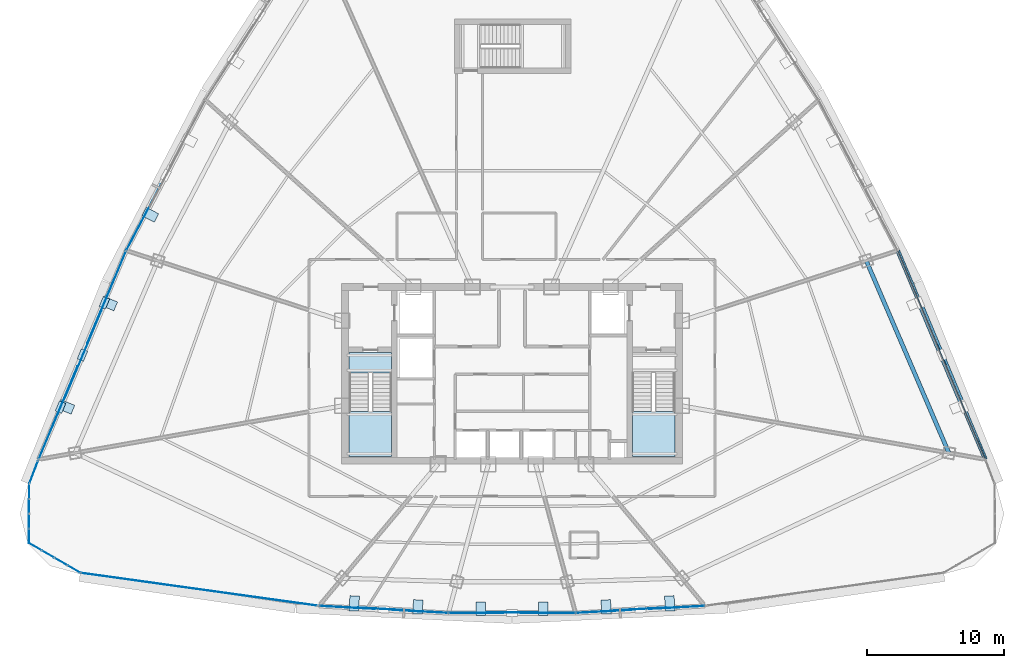
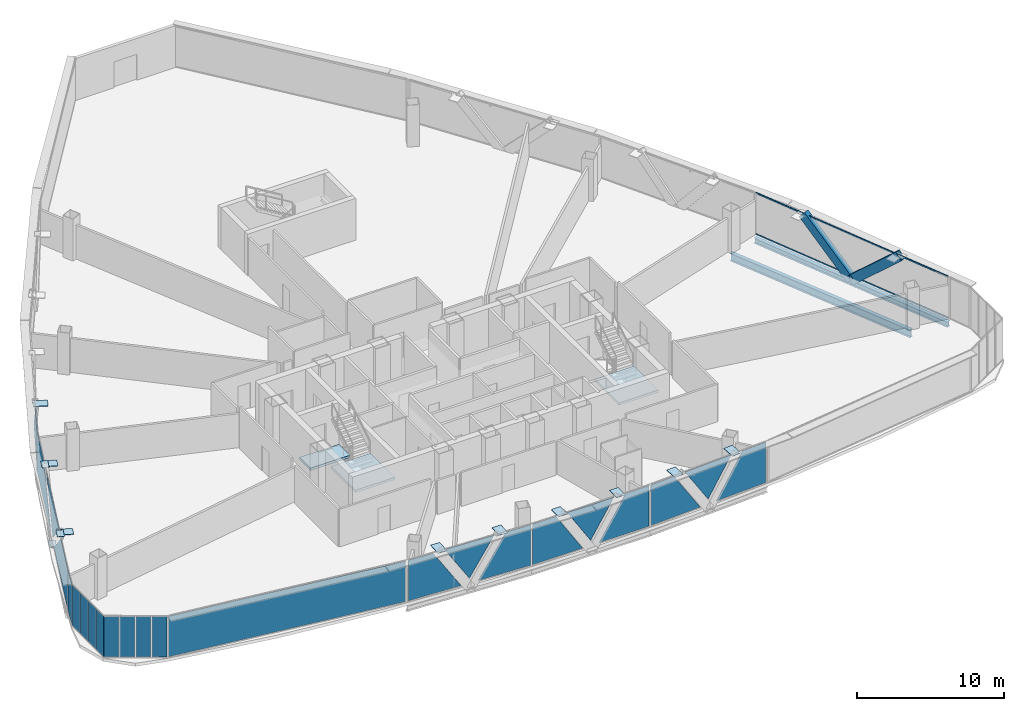
# One storey, part 27 of 36: 35 plates, 4 members, 3 slabs, 2 beams, 12 elements without a shape of their own.
"""IFC4 building model written with IfcOpenShell, lengths in metres."""

from ifc_helpers import new_model, si_unit, direction, frame, origin, origin_2d, place, context, subcontext, project, spatial, polyline, rectangle, hollow_rectangle, i_section, outline, extrude, source, transform, mapped, material, layer, layer_set, material_profile, profile_set, type_object, element, aggregate, save


model = new_model("IFC4")

# Units and contexts
model_context = context("Model", 3, precision=1e-05, world=origin(), true_north=direction((0.0, 1.0)))
body_context = subcontext(model_context, "Body", "Model", "MODEL_VIEW")
ifc_project = project(units=[si_unit("LENGTHUNIT", "METRE"), si_unit("AREAUNIT", "SQUARE_METRE"), si_unit("VOLUMEUNIT", "CUBIC_METRE"), si_unit("PLANEANGLEUNIT", "RADIAN"), si_unit("MASSUNIT", "GRAM", prefix="KILO"), si_unit("THERMODYNAMICTEMPERATUREUNIT", "KELVIN"), si_unit("POWERUNIT", "WATT")], contexts=[model_context])

# Site, building, storey
site_placement = place(None, origin())
site = spatial("IfcSite", under=ifc_project, at=site_placement, CompositionType="ELEMENT")
building_placement = place(site_placement, origin())
building = spatial("IfcBuilding", under=site, at=building_placement, Name="Yunzhuo Pagoda Commons", CompositionType="ELEMENT")
storey_placement = place(building_placement, frame((0.0, 0.0, 248.260009765625)))
storey = spatial("IfcBuildingStorey", under=building, at=storey_placement, Name="L62", CompositionType="ELEMENT", Elevation=248.260009765625)

# Beams
ifc_material_1 = material(Name="Structural steel Q355B", Category="steel")
ifc_material_profile_1 = material_profile(ifc_material_1, i_section(OverallWidth=0.300048828125, OverallDepth=0.64990234375, WebThickness=0.012939453125, FlangeThickness=0.02197265625, at=origin_2d()), Name="Structural steel Q355B")
ifc_profile_set_1 = profile_set([ifc_material_profile_1], Name="Structural steel Q355B")
beam_type_1 = type_object("IfcBeamType", Name="B-RG2 Beam HN 650x300x13x22", PredefinedType="BEAM", material=ifc_profile_set_1)
shared_shape_1 = source(origin(), body_context, "Body", "SweptSolid", [
    extrude(i_section(OverallWidth=0.300048828125, OverallDepth=0.64990234375, WebThickness=0.012939453125, FlangeThickness=0.02197265625, at=origin_2d()), origin(), (0.0, 0.0, 1.0), 15.28759765625),
])
beam_1_placement = place(storey_placement, frame((79.93408203125, 28.069091796875, -0.5849609375), z_axis=(-0.394788372839, 0.918772083093, 0.0), x_axis=(-0.918772083093, -0.394788372839, 0.0)))
element("IfcBeam", 1, at=beam_1_placement, inside=storey, type_object=beam_type_1, Name="L62 column-ring beam 5", PredefinedType="BEAM", context=body_context, shape_type="MappedRepresentation", body=[
    mapped(shared_shape_1, transform((0.0, 0.0, 0.0), scale=1.0)),
])
ifc_material_profile_2 = material_profile(ifc_material_1, i_section(OverallWidth=0.300048828125, OverallDepth=0.43994140625, WebThickness=0.010986328125, FlangeThickness=0.01806640625, at=origin_2d()), Name="Structural steel Q355B")
ifc_profile_set_2 = profile_set([ifc_material_profile_2], Name="Structural steel Q355B")
beam_type_2 = type_object("IfcBeamType", Name="B-SP2 Beam HM 440x300x11x18", PredefinedType="BEAM", material=ifc_profile_set_2)
shared_shape_2 = source(origin(), body_context, "Body", "SweptSolid", [
    extrude(i_section(OverallWidth=0.300048828125, OverallDepth=0.43994140625, WebThickness=0.010986328125, FlangeThickness=0.01806640625, at=origin_2d()), origin(), (0.0, 0.0, 1.0), 16.5537109375),
])
beam_2_placement = place(storey_placement, frame((82.6044921875, 27.598388671875, -0.47998046875), z_axis=(-0.387160772063, 0.922012221489, 0.0), x_axis=(-0.922012221489, -0.387160772063, 0.0)))
element("IfcBeam", 2, at=beam_2_placement, inside=storey, type_object=beam_type_2, Name="L62 facade edge spandrel beam F2.1", PredefinedType="BEAM", context=body_context, shape_type="MappedRepresentation", body=[
    mapped(shared_shape_2, transform((0.0, 0.0, 0.0), scale=1.0)),
])

# Members
ifc_material_profile_3 = material_profile(ifc_material_1, hollow_rectangle(XDim=0.39990234375, YDim=0.719970703125, WallThickness=0.02392578125, at=origin_2d()), Name="Structural steel Q355B")
ifc_profile_set_3 = profile_set([ifc_material_profile_3], Name="Structural steel Q355B")
member_type_1 = type_object("IfcMemberType", Name="M-DL2 Brace BOX 720x400x24", PredefinedType="BRACE", material=ifc_profile_set_3)
shared_shape_3 = source(origin(), body_context, "Body", "SweptSolid", [
    extrude(hollow_rectangle(XDim=0.39990234375, YDim=0.719970703125, WallThickness=0.02392578125, at=origin_2d()), origin(), (0.0, 0.0, 1.0), 5.571533203125),
])
member_1_placement = place(storey_placement, frame((79.39990234375, 35.229736328125, -0.260009765625), z_axis=(-0.287589195422, 0.684859292283, 0.669522370388), x_axis=(-0.922006956735, -0.387173309684, 0.0)))
element("IfcMember", 3, at=member_1_placement, inside=storey, type_object=member_type_1, Name="L62 facade diamond brace F2.1R", PredefinedType="BRACE", context=body_context, shape_type="MappedRepresentation", body=[
    mapped(shared_shape_3, transform((0.0, 0.0, 0.0), scale=1.0)),
])
shared_shape_4 = source(origin(), body_context, "Body", "SweptSolid", [
    extrude(hollow_rectangle(XDim=0.39990234375, YDim=0.719970703125, WallThickness=0.02392578125, at=origin_2d()), origin(), (0.0, 0.0, 1.0), 5.5712890625),
])
member_2_placement = place(storey_placement, frame((79.39990234375, 35.229736328125, -0.260009765625), z_axis=(0.287597826196, -0.684836024347, 0.669542463271), x_axis=(0.921998112724, 0.387194369965, 0.0)))
element("IfcMember", 4, at=member_2_placement, inside=storey, type_object=member_type_1, Name="L62 facade diamond brace F2.1L", PredefinedType="BRACE", context=body_context, shape_type="MappedRepresentation", body=[
    mapped(shared_shape_4, transform((0.0, 0.0, 0.0), scale=1.0)),
])

# Curtain wall, members
ifc_material_2 = material(Name="Anodized aluminium 6063-T6", Category="aluminium")
ifc_layer_1 = layer(ifc_material_2, 0.139892578125)
ifc_layer_set_1 = layer_set([ifc_layer_1], Name="Anodized aluminium 6063-T6")
curtain_wall_type_1 = type_object("IfcCurtainWallType", Name="CW-HI High-Zone Ribbon Curtain Wall", PredefinedType="NOTDEFINED", material=ifc_layer_set_1)
curtain_wall_1_placement = place(storey_placement, origin())
curtain_wall_1 = element("IfcCurtainWall", 5, at=curtain_wall_1_placement, inside=storey, type_object=curtain_wall_type_1, Name="L62 curtain wall CW-L62-F2B2", PredefinedType="NOTDEFINED")
ifc_material_profile_4 = material_profile(ifc_material_2, hollow_rectangle(XDim=0.054931640625, YDim=0.1201171875, WallThickness=0.00341796875, at=origin_2d()), Name="Anodized aluminium 6063-T6")
ifc_profile_set_4 = profile_set([ifc_material_profile_4], Name="Anodized aluminium 6063-T6")
member_type_2 = type_object("IfcMemberType", Name="CW-HI-T Transom RHS 120x55x3.5", PredefinedType="USERDEFINED", material=ifc_profile_set_4)
shared_shape_5 = source(origin(), body_context, "Body", "SweptSolid", [
    extrude(hollow_rectangle(XDim=0.054931640625, YDim=0.1201171875, WallThickness=0.00341796875, at=origin_2d()), origin(), (0.0, 0.0, 1.0), 16.433837890625),
])
member_3_placement = place(storey_placement, frame((82.581298828125, 27.65380859375, 0.027587890625), z_axis=(-0.38717616129, 0.922005759271, 0.0), x_axis=(-0.922005759271, -0.38717616129, 0.0)))
member_3 = element("IfcMember", 6, at=member_3_placement, type_object=member_type_2, Name="CW transom 1.1", ObjectType="TRANSOM", PredefinedType="USERDEFINED", context=body_context, shape_type="MappedRepresentation", body=[
    mapped(shared_shape_5, transform((0.0, 0.0, 0.0), scale=1.0)),
])
member_4_placement = place(storey_placement, frame((82.581298828125, 27.65380859375, 3.4423828125), z_axis=(-0.38717616129, 0.922005759271, 0.0), x_axis=(-0.922005759271, -0.38717616129, 0.0)))
member_4 = element("IfcMember", 7, at=member_4_placement, type_object=member_type_2, Name="CW transom 1.2", ObjectType="TRANSOM", PredefinedType="USERDEFINED", context=body_context, shape_type="MappedRepresentation", body=[
    mapped(shared_shape_5, transform((0.0, 0.0, 0.0), scale=1.0)),
])
aggregate(curtain_wall_1, [member_3, member_4])

# Curtain wall, plates
curtain_wall_2_placement = place(storey_placement, origin())
curtain_wall_2 = element("IfcCurtainWall", 8, at=curtain_wall_2_placement, inside=storey, type_object=curtain_wall_type_1, Name="L62 curtain wall CW-L62-F1B2", PredefinedType="NOTDEFINED")
ifc_material_3 = material(Name="Tempered low-e double glazing", Category="glass")
ifc_layer_2 = layer(ifc_material_3, 0.02587890625)
ifc_layer_set_2 = layer_set([ifc_layer_2], Name="Tempered low-e double glazing")
plate_type_1 = type_object("IfcPlateType", Name="CW-HI-P Low-E Double Glazing 26", PredefinedType="CURTAIN_PANEL", material=ifc_layer_set_2)
plate_1_placement = place(storey_placement, frame((35.963134765625, 16.7861328125, 1.735107421875), z_axis=(-0.054497194278, -0.998513923697, 0.0), x_axis=(0.998513923697, -0.054497194278, 0.0)))
plate_1 = element("IfcPlate", 9, at=plate_1_placement, type_object=plate_type_1, Name="CW panel 1.1 lite 1", PredefinedType="CURTAIN_PANEL", context=body_context, shape_type="SweptSolid", body=[
    extrude(outline(polyline([(-2.0146484375, -1.679931640625), (2.0146484375, -1.679931640625), (-0.1201171875, 1.679931640625), (-2.0146484375, 1.679931640625), (-2.0146484375, -1.679931640625)])), origin(), (0.0, 0.0, 1.0), 0.028076171875),
])
plate_2_placement = place(storey_placement, frame((38.625732421875, 16.6708984375, 1.931884765625), z_axis=(-0.054497194278, -0.998513923697, 0.0), x_axis=(0.998513923697, -0.054497194278, 0.0)))
plate_2 = element("IfcPlate", 10, at=plate_2_placement, type_object=plate_type_1, Name="CW panel 1.1 lite 2", PredefinedType="CURTAIN_PANEL", context=body_context, shape_type="SweptSolid", body=[
    extrude(outline(polyline([(-1.884765625, 1.483154296875), (0.0, -1.483154296875), (1.884765625, 1.483154296875), (-1.884765625, 1.483154296875)])), origin(), (0.0, 0.0, 1.0), 0.028076171875),
])
plate_3_placement = place(storey_placement, frame((41.28515625, 16.49560546875, 1.735107421875), z_axis=(-0.054497194278, -0.998513923697, 0.0), x_axis=(0.998513923697, -0.054497194278, 0.0)))
plate_3 = element("IfcPlate", 11, at=plate_3_placement, type_object=plate_type_1, Name="CW panel 1.1 lite 3", PredefinedType="CURTAIN_PANEL", context=body_context, shape_type="SweptSolid", body=[
    extrude(outline(polyline([(-2.0146484375, -1.679931640625), (2.0146484375, -1.679931640625), (2.0146484375, 1.679931640625), (0.1201171875, 1.679931640625), (-2.0146484375, -1.679931640625)])), origin(), (0.0, 0.0, 1.0), 0.028076171875),
])
aggregate(curtain_wall_2, [plate_1, plate_2, plate_3])

curtain_wall_3_placement = place(storey_placement, origin())
curtain_wall_3 = element("IfcCurtainWall", 12, at=curtain_wall_3_placement, inside=storey, type_object=curtain_wall_type_1, Name="L62 curtain wall CW-L62-F1B3", PredefinedType="NOTDEFINED")
plate_4_placement = place(storey_placement, frame((45.38623046875, 16.3828125, 1.735107421875), z_axis=(0.0, -1.0, 0.0), x_axis=(1.0, 0.0, 0.0)))
plate_4 = element("IfcPlate", 13, at=plate_4_placement, type_object=plate_type_1, Name="CW panel 1.1 lite 1", PredefinedType="CURTAIN_PANEL", context=body_context, shape_type="SweptSolid", body=[
    extrude(outline(polyline([(-1.97021484375, -1.679931640625), (1.97021484375, -1.679931640625), (-0.12158203125, 1.679931640625), (-1.97021484375, 1.679931640625), (-1.97021484375, -1.679931640625)])), origin(), (0.0, 0.0, 1.0), 0.028076171875),
])
plate_5_placement = place(storey_placement, frame((48.0, 16.41259765625, 1.93701171875), z_axis=(0.0, -1.0, 0.0), x_axis=(1.0, 0.0, 0.0)))
plate_5 = element("IfcPlate", 14, at=plate_5_placement, type_object=plate_type_1, Name="CW panel 1.1 lite 2", PredefinedType="CURTAIN_PANEL", context=body_context, shape_type="SweptSolid", body=[
    extrude(outline(polyline([(-1.840087890625, 1.47802734375), (0.0, -1.47802734375), (1.840087890625, 1.47802734375), (-1.840087890625, 1.47802734375)])), origin(), (0.0, 0.0, 1.0), 0.028076171875),
])
plate_6_placement = place(storey_placement, frame((50.61376953125, 16.3828125, 1.735107421875), z_axis=(0.0, -1.0, 0.0), x_axis=(1.0, 0.0, 0.0)))
plate_6 = element("IfcPlate", 15, at=plate_6_placement, type_object=plate_type_1, Name="CW panel 1.1 lite 3", PredefinedType="CURTAIN_PANEL", context=body_context, shape_type="SweptSolid", body=[
    extrude(outline(polyline([(-1.97021484375, -1.679931640625), (1.97021484375, -1.679931640625), (1.97021484375, 1.679931640625), (0.12158203125, 1.679931640625), (-1.97021484375, -1.679931640625)])), origin(), (0.0, 0.0, 1.0), 0.028076171875),
])
aggregate(curtain_wall_3, [plate_4, plate_5, plate_6])

curtain_wall_4_placement = place(storey_placement, origin())
curtain_wall_4 = element("IfcCurtainWall", 16, at=curtain_wall_4_placement, inside=storey, type_object=curtain_wall_type_1, Name="L62 curtain wall CW-L62-F1B4", PredefinedType="NOTDEFINED")
plate_7_placement = place(storey_placement, frame((54.71484375, 16.49560546875, 1.735107421875), z_axis=(0.054497194278, -0.998513923697, 0.0), x_axis=(0.998513923697, 0.054497194278, 0.0)))
plate_7 = element("IfcPlate", 17, at=plate_7_placement, type_object=plate_type_1, Name="CW panel 1.1 lite 1", PredefinedType="CURTAIN_PANEL", context=body_context, shape_type="SweptSolid", body=[
    extrude(outline(polyline([(-2.0146484375, -1.679931640625), (2.0146484375, -1.679931640625), (-0.1201171875, 1.679931640625), (-2.0146484375, 1.679931640625), (-2.0146484375, -1.679931640625)])), origin(), (0.0, 0.0, 1.0), 0.028076171875),
])
plate_8_placement = place(storey_placement, frame((57.374267578125, 16.6708984375, 1.931884765625), z_axis=(0.054497194278, -0.998513923697, 0.0), x_axis=(0.998513923697, 0.054497194278, 0.0)))
plate_8 = element("IfcPlate", 18, at=plate_8_placement, type_object=plate_type_1, Name="CW panel 1.1 lite 2", PredefinedType="CURTAIN_PANEL", context=body_context, shape_type="SweptSolid", body=[
    extrude(outline(polyline([(-1.884765625, 1.483154296875), (0.0, -1.483154296875), (1.884765625, 1.483154296875), (-1.884765625, 1.483154296875)])), origin(), (0.0, 0.0, 1.0), 0.028076171875),
])
plate_9_placement = place(storey_placement, frame((60.036865234375, 16.7861328125, 1.735107421875), z_axis=(0.054497194278, -0.998513923697, 0.0), x_axis=(0.998513923697, 0.054497194278, 0.0)))
plate_9 = element("IfcPlate", 19, at=plate_9_placement, type_object=plate_type_1, Name="CW panel 1.1 lite 3", PredefinedType="CURTAIN_PANEL", context=body_context, shape_type="SweptSolid", body=[
    extrude(outline(polyline([(-2.0146484375, -1.679931640625), (2.0146484375, -1.679931640625), (2.0146484375, 1.679931640625), (0.1201171875, 1.679931640625), (-2.0146484375, -1.679931640625)])), origin(), (0.0, 0.0, 1.0), 0.028076171875),
])
aggregate(curtain_wall_4, [plate_7, plate_8, plate_9])

# Curtain wall, plate
curtain_wall_5_placement = place(storey_placement, origin())
curtain_wall_5 = element("IfcCurtainWall", 20, at=curtain_wall_5_placement, inside=storey, type_object=curtain_wall_type_1, Name="L62 curtain wall CW-L62-F3B3", PredefinedType="NOTDEFINED")
plate_10_placement = place(storey_placement, frame((21.100830078125, 45.30029296875, 1.735107421875), z_axis=(-0.88543295769, 0.464767121725, 0.0), x_axis=(-0.464767121725, -0.88543295769, 0.0)))
plate_10 = element("IfcPlate", 21, at=plate_10_placement, type_object=plate_type_1, Name="CW panel 1.1 lite 3", PredefinedType="CURTAIN_PANEL", context=body_context, shape_type="SweptSolid", body=[
    extrude(outline(polyline([(-2.7021484375, -1.679931640625), (2.7021484375, -1.679931640625), (2.7021484375, 1.679931640625), (0.10009765625, 1.679931640625), (-2.7021484375, -1.679931640625)])), origin(), (0.0, 0.0, 1.0), 0.028076171875),
])
aggregate(curtain_wall_5, [plate_10])

# Curtain wall, plates
curtain_wall_6_placement = place(storey_placement, origin())
curtain_wall_6 = element("IfcCurtainWall", 22, at=curtain_wall_6_placement, inside=storey, type_object=curtain_wall_type_1, Name="L62 curtain wall CW-L62-F3B4", PredefinedType="NOTDEFINED")
plate_11_placement = place(storey_placement, frame((18.38134765625, 39.435302734375, 1.735107421875), z_axis=(-0.922008372235, 0.387169938824, 0.0), x_axis=(-0.387169938824, -0.922008372235, 0.0)))
plate_11 = element("IfcPlate", 23, at=plate_11_placement, type_object=plate_type_1, Name="CW panel 1.1 lite 1", PredefinedType="CURTAIN_PANEL", context=body_context, shape_type="SweptSolid", body=[
    extrude(outline(polyline([(-3.64990234375, -1.679931640625), (3.64990234375, -1.679931640625), (-0.078125, 1.679931640625), (-3.64990234375, 1.679931640625), (-3.64990234375, -1.679931640625)])), origin(), (0.0, 0.0, 1.0), 0.028076171875),
])
plate_12_placement = place(storey_placement, frame((16.640625, 35.212646484375, 1.833251953125), z_axis=(-0.922008372235, 0.387169938824, 0.0), x_axis=(-0.387169938824, -0.922008372235, 0.0)))
plate_12 = element("IfcPlate", 24, at=plate_12_placement, type_object=plate_type_1, Name="CW panel 1.1 lite 2", PredefinedType="CURTAIN_PANEL", context=body_context, shape_type="SweptSolid", body=[
    extrude(outline(polyline([(-3.510009765625, 1.581787109375), (0.0, -1.581787109375), (3.510009765625, 1.581787109375), (-3.510009765625, 1.581787109375)])), origin(), (0.0, 0.0, 1.0), 0.028076171875),
])
plate_13_placement = place(storey_placement, frame((14.8447265625, 31.013427734375, 1.735107421875), z_axis=(-0.922008372235, 0.387169938824, 0.0), x_axis=(-0.387169938824, -0.922008372235, 0.0)))
plate_13 = element("IfcPlate", 25, at=plate_13_placement, type_object=plate_type_1, Name="CW panel 1.1 lite 3", PredefinedType="CURTAIN_PANEL", context=body_context, shape_type="SweptSolid", body=[
    extrude(outline(polyline([(-3.64990234375, -1.679931640625), (3.64990234375, -1.679931640625), (3.64990234375, 1.679931640625), (0.078125, 1.679931640625), (-3.64990234375, -1.679931640625)])), origin(), (0.0, 0.0, 1.0), 0.028076171875),
])
aggregate(curtain_wall_6, [plate_11, plate_12, plate_13])

# Stair, slabs
ifc_material_4 = material(Name="Concrete C40", Category="concrete")
stair_type_1 = type_object("IfcStairType", Name="ST-C1 Core Smokeproof Stair ST1", PredefinedType="HALF_TURN_STAIR", material=ifc_material_4)
stair_1_placement = place(storey_placement, origin())
stair_1 = element("IfcStair", 26, at=stair_1_placement, inside=storey, type_object=stair_type_1, Name="L62 Core smokeproof stair ST1", PredefinedType="HALF_TURN_STAIR")
ifc_layer_3 = layer(ifc_material_4, 0.199951171875)
ifc_layer_set_3 = layer_set([ifc_layer_3], Name="Concrete C40")
slab_type_1 = type_object("IfcSlabType", Name="SL-LND1 Stair Landing Slab 200", PredefinedType="LANDING", material=ifc_layer_set_3)
slab_1_placement = place(storey_placement, frame((0.0, 0.0, 1.6650390625)))
slab_1 = element("IfcSlab", 27, at=slab_1_placement, type_object=slab_type_1, Name="ST1 landing 1", PredefinedType="LANDING", context=body_context, shape_type="SweptSolid", body=[
    extrude(outline(polyline([(36.10009765625, 31.10009765625), (36.10009765625, 27.800048828125), (39.199951171875, 27.800048828125), (39.199951171875, 31.10009765625), (36.10009765625, 31.10009765625)])), origin(), (0.0, 0.0, 1.0), 0.199951171875),
])
slab_2_placement = place(storey_placement, frame((0.0, 0.0, -0.199951171875)))
slab_2 = element("IfcSlab", 28, at=slab_2_placement, type_object=slab_type_1, Name="ST1 floor landing L62", PredefinedType="LANDING", context=body_context, shape_type="SweptSolid", body=[
    extrude(outline(polyline([(36.10009765625, 35.39990234375), (36.10009765625, 33.89990234375), (39.199951171875, 33.89990234375), (39.199951171875, 35.39990234375), (36.10009765625, 35.39990234375)])), origin(), (0.0, 0.0, 1.0), 0.199951171875),
])
aggregate(stair_1, [slab_1, slab_2])

# Stair, slab
stair_type_2 = type_object("IfcStairType", Name="ST-C2 Core Smokeproof Stair ST2", PredefinedType="HALF_TURN_STAIR", material=ifc_material_4)
stair_2_placement = place(storey_placement, origin())
stair_2 = element("IfcStair", 29, at=stair_2_placement, inside=storey, type_object=stair_type_2, Name="L62 Core smokeproof stair ST2", PredefinedType="HALF_TURN_STAIR")
ifc_layer_4 = layer(ifc_material_4, 0.201904296875)
ifc_layer_set_4 = layer_set([ifc_layer_4], Name="Concrete C40")
slab_type_2 = type_object("IfcSlabType", Name="SL-LND2 Stair Landing Slab 202", PredefinedType="LANDING", material=ifc_layer_set_4)
slab_3_placement = place(storey_placement, frame((0.0, 0.0, 1.6650390625)))
slab_3 = element("IfcSlab", 30, at=slab_3_placement, type_object=slab_type_2, Name="ST2 landing 1", PredefinedType="LANDING", context=body_context, shape_type="SweptSolid", body=[
    extrude(outline(polyline([(56.800048828125, 31.10009765625), (56.800048828125, 27.800048828125), (59.89990234375, 27.800048828125), (59.89990234375, 31.10009765625), (56.800048828125, 31.10009765625)])), origin(), (0.0, 0.0, 1.0), 0.199951171875),
])
aggregate(stair_2, [slab_3])

# Plates
ifc_layer_5 = layer(ifc_material_1, 0.028076171875)
ifc_layer_set_5 = layer_set([ifc_layer_5], Name="Structural steel Q355B")
plate_type_2 = type_object("IfcPlateType", Name="SP-ND1 Lattice Node Cap Plate 800x500x28", PredefinedType="USERDEFINED", material=ifc_layer_set_5)
shared_shape_6 = source(origin(), body_context, "Body", "SweptSolid", [
    extrude(rectangle(XDim=0.800048828125, YDim=0.5, at=origin_2d()), origin(), (0.0, 0.0, 1.0), 0.028076171875),
])
plate_14_placement = place(storey_placement, frame((16.60009765625, 35.229736328125, -0.27392578125), z_axis=(0.0, 0.0, 1.0), x_axis=(-0.387177679939, -0.922005121546, 0.0)))
element("IfcPlate", 31, at=plate_14_placement, inside=storey, type_object=plate_type_2, Name="L62 diamond node plate F3.3A", ObjectType="STIFFENER_PLATE", PredefinedType="USERDEFINED", context=body_context, shape_type="MappedRepresentation", body=[
    mapped(shared_shape_6, transform((0.0, 0.0, 0.0), scale=1.0)),
])
ifc_layer_6 = layer(ifc_material_1, 0.028076171875)
ifc_layer_set_6 = layer_set([ifc_layer_6], Name="Structural steel Q355B")
plate_type_3 = type_object("IfcPlateType", Name="EP-DL1 Diamond Brace End Plate 800x500x28", PredefinedType="USERDEFINED", material=ifc_layer_set_6)
for number, where, z_axis, x_axis, name in (
    (32, (18.202392578125, 39.04541015625, 3.4677734375), (0.0, 0.0, 1.0), (-0.387177679939, -0.922005121546, 0.0), "L62 diamond brace end plate F3.3L"),
    (33, (14.997802734375, 31.4140625, 3.4677734375), (0.0, 0.0, 1.0), (-0.387177679939, -0.922005121546, 0.0), "L62 diamond brace end plate F3.3R"),
):
    element("IfcPlate", number, at=place(storey_placement, frame(where, z_axis=z_axis, x_axis=x_axis)), inside=storey, type_object=plate_type_3, Name=name, ObjectType="END_PLATE", PredefinedType="USERDEFINED", context=body_context, shape_type="MappedRepresentation", body=[
        mapped(shared_shape_6, transform((0.0, 0.0, 0.0), scale=1.0)),
    ])
shared_shape_7 = source(origin(), body_context, "Body", "SweptSolid", [
    extrude(rectangle(XDim=0.699951171875, YDim=1.101806640625, at=origin_2d()), origin(), (0.0, 0.0, 1.0), 0.035888671875),
])
for number, where, z_axis, x_axis, name in (
    (34, (36.470947265625, 17.065185546875, 3.43212890625), (0.0, 0.0, 1.0), (0.998513930245, -0.054497074291, 0.0), "L62 setback lattice tie plate F1.1L"),
    (35, (59.529052734375, 17.065185546875, 3.43212890625), (0.0, 0.0, 1.0), (0.998513930245, 0.054497074291, 0.0), "L62 setback lattice tie plate F1.3R"),
):
    element("IfcPlate", number, at=place(storey_placement, frame(where, z_axis=z_axis, x_axis=x_axis)), inside=storey, type_object=plate_type_2, Name=name, ObjectType="STIFFENER_PLATE", PredefinedType="USERDEFINED", context=body_context, shape_type="MappedRepresentation", body=[
        mapped(shared_shape_7, transform((0.0, 0.0, 0.0), scale=1.0)),
    ])
shared_shape_8 = source(origin(), body_context, "Body", "SweptSolid", [
    extrude(rectangle(XDim=0.699951171875, YDim=1.02978515625, at=origin_2d()), origin(), (0.0, 0.0, 1.0), 0.035888671875),
])
for number, where, z_axis, x_axis, name in (
    (36, (41.117919921875, 16.812744140625, 3.43212890625), (0.0, 0.0, 1.0), (0.998513930245, -0.054497074291, 0.0), "L62 setback lattice tie plate F1.1R"),
    (37, (54.882080078125, 16.812744140625, 3.43212890625), (0.0, 0.0, 1.0), (0.998513930245, 0.054497074291, 0.0), "L62 setback lattice tie plate F1.3L"),
):
    element("IfcPlate", number, at=place(storey_placement, frame(where, z_axis=z_axis, x_axis=x_axis)), inside=storey, type_object=plate_type_2, Name=name, ObjectType="STIFFENER_PLATE", PredefinedType="USERDEFINED", context=body_context, shape_type="MappedRepresentation", body=[
        mapped(shared_shape_8, transform((0.0, 0.0, 0.0), scale=1.0)),
    ])
shared_shape_9 = source(origin(), body_context, "Body", "SweptSolid", [
    extrude(rectangle(XDim=0.699951171875, YDim=0.9912109375, at=origin_2d()), origin(), (0.0, 0.0, 1.0), 0.035888671875),
])
for number, where, z_axis, x_axis, name in (
    (38, (45.720703125, 16.6865234375, 3.43212890625), (0.0, 0.0, 1.0), (1.0, 0.0, 0.0), "L62 setback lattice tie plate F1.2L"),
    (39, (50.279296875, 16.6865234375, 3.43212890625), (0.0, 0.0, 1.0), (1.0, 0.0, 0.0), "L62 setback lattice tie plate F1.2R"),
):
    element("IfcPlate", number, at=place(storey_placement, frame(where, z_axis=z_axis, x_axis=x_axis)), inside=storey, type_object=plate_type_2, Name=name, ObjectType="STIFFENER_PLATE", PredefinedType="USERDEFINED", context=body_context, shape_type="MappedRepresentation", body=[
        mapped(shared_shape_9, transform((0.0, 0.0, 0.0), scale=1.0)),
    ])
shared_shape_10 = source(origin(), body_context, "Body", "SweptSolid", [
    extrude(rectangle(XDim=0.699951171875, YDim=1.128173828125, at=origin_2d()), origin(), (0.0, 0.0, 1.0), 0.035888671875),
])
plate_15_placement = place(storey_placement, frame((15.385986328125, 31.44189453125, 3.43212890625), z_axis=(0.0, 0.0, 1.0), x_axis=(-0.387177679939, -0.922005121546, 0.0)))
element("IfcPlate", 40, at=plate_15_placement, inside=storey, type_object=plate_type_2, Name="L62 setback lattice tie plate F3.3R", ObjectType="STIFFENER_PLATE", PredefinedType="USERDEFINED", context=body_context, shape_type="MappedRepresentation", body=[
    mapped(shared_shape_10, transform((0.0, 0.0, 0.0), scale=1.0)),
])
shared_shape_11 = source(origin(), body_context, "Body", "SweptSolid", [
    extrude(rectangle(XDim=0.699951171875, YDim=1.05224609375, at=origin_2d()), origin(), (0.0, 0.0, 1.0), 0.035888671875),
])
plate_16_placement = place(storey_placement, frame((18.548095703125, 38.984375, 3.43212890625), z_axis=(0.0, 0.0, 1.0), x_axis=(-0.387177679939, -0.922005121546, 0.0)))
element("IfcPlate", 41, at=plate_16_placement, inside=storey, type_object=plate_type_2, Name="L62 setback lattice tie plate F3.3L", ObjectType="STIFFENER_PLATE", PredefinedType="USERDEFINED", context=body_context, shape_type="MappedRepresentation", body=[
    mapped(shared_shape_11, transform((0.0, 0.0, 0.0), scale=1.0)),
])
shared_shape_12 = source(origin(), body_context, "Body", "SweptSolid", [
    extrude(rectangle(XDim=0.699951171875, YDim=1.022216796875, at=origin_2d()), origin(), (0.0, 0.0, 1.0), 0.035888671875),
])
plate_17_placement = place(storey_placement, frame((21.557861328125, 45.479248046875, 3.43212890625), z_axis=(0.0, 0.0, 1.0), x_axis=(-0.464764778785, -0.885434187504, 0.0)))
element("IfcPlate", 42, at=plate_17_placement, inside=storey, type_object=plate_type_2, Name="L62 setback lattice tie plate F3.2R", ObjectType="STIFFENER_PLATE", PredefinedType="USERDEFINED", context=body_context, shape_type="MappedRepresentation", body=[
    mapped(shared_shape_12, transform((0.0, 0.0, 0.0), scale=1.0)),
])

# Curtain wall, plate
curtain_wall_7_placement = place(storey_placement, origin())
curtain_wall_7 = element("IfcCurtainWall", 43, at=curtain_wall_7_placement, inside=storey, type_object=curtain_wall_type_1, Name="L62 curtain wall CW-L62-F1B1", PredefinedType="NOTDEFINED")
shared_shape_13 = source(origin(), body_context, "Body", "SweptSolid", [
    extrude(rectangle(XDim=17.41650390625, YDim=0.028076171875, at=origin_2d()), origin(), (0.0, 0.0, 1.0), 3.360107421875),
])
plate_18_placement = place(storey_placement, frame((25.131103515625, 18.09912109375, 0.05517578125), z_axis=(0.0, 0.0, 1.0), x_axis=(0.990536382082, -0.137250412651, 0.0)))
plate_18 = element("IfcPlate", 44, at=plate_18_placement, type_object=plate_type_1, Name="CW panel 1.1", PredefinedType="CURTAIN_PANEL", context=body_context, shape_type="MappedRepresentation", body=[
    mapped(shared_shape_13, transform((0.0, 0.0, 0.0), scale=1.0)),
])
aggregate(curtain_wall_7, [plate_18])

curtain_wall_8_placement = place(storey_placement, origin())
curtain_wall_8 = element("IfcCurtainWall", 45, at=curtain_wall_8_placement, inside=storey, type_object=curtain_wall_type_1, Name="L62 curtain wall CW-L62-F3B5", PredefinedType="NOTDEFINED")
shared_shape_14 = source(origin(), body_context, "Body", "SweptSolid", [
    extrude(rectangle(XDim=1.723876953125, YDim=0.028076171875, at=origin_2d()), origin(), (0.0, 0.0, 1.0), 3.360107421875),
])
plate_19_placement = place(storey_placement, frame((13.04052734375, 26.666748046875, 0.05517578125), z_axis=(0.0, 0.0, 1.0), x_axis=(-0.356117115139, -0.934441330585, 0.0)))
plate_19 = element("IfcPlate", 46, at=plate_19_placement, type_object=plate_type_1, Name="CW panel 1.1", PredefinedType="CURTAIN_PANEL", context=body_context, shape_type="MappedRepresentation", body=[
    mapped(shared_shape_14, transform((0.0, 0.0, 0.0), scale=1.0)),
])
aggregate(curtain_wall_8, [plate_19])

# Curtain wall, plates
ifc_layer_7 = layer(ifc_material_2, 0.1298828125)
ifc_layer_set_7 = layer_set([ifc_layer_7], Name="Anodized aluminium 6063-T6")
curtain_wall_type_2 = type_object("IfcCurtainWallType", Name="CW-VTX Rounded Corner Curtain Wall", PredefinedType="NOTDEFINED", material=ifc_layer_set_7)
curtain_wall_9_placement = place(storey_placement, origin())
curtain_wall_9 = element("IfcCurtainWall", 47, at=curtain_wall_9_placement, inside=storey, type_object=curtain_wall_type_2, Name="L62 curtain wall CW-L62-VTX1S1", PredefinedType="NOTDEFINED")
ifc_layer_8 = layer(ifc_material_3, 0.02587890625)
ifc_layer_set_8 = layer_set([ifc_layer_8], Name="Tempered low-e double glazing")
plate_type_4 = type_object("IfcPlateType", Name="CW-VTX-P Low-E Double Glazing 26", PredefinedType="CURTAIN_PANEL", material=ifc_layer_set_8)
shared_shape_15 = source(origin(), body_context, "Body", "SweptSolid", [
    extrude(rectangle(XDim=1.01220703125, YDim=0.028076171875, at=origin_2d()), origin(), (0.0, 0.0, 1.0), 3.360107421875),
])
plate_20_placement = place(storey_placement, frame((12.710205078125, 25.244140625, 0.05517578125), z_axis=(0.0, 0.0, 1.0), x_axis=(-0.003585679809, -0.999993571429, 0.0)))
plate_20 = element("IfcPlate", 48, at=plate_20_placement, type_object=plate_type_4, Name="CW panel 1.1", PredefinedType="CURTAIN_PANEL", context=body_context, shape_type="MappedRepresentation", body=[
    mapped(shared_shape_15, transform((0.0, 0.0, 0.0), scale=1.0)),
])
plate_21_placement = place(storey_placement, frame((12.698486328125, 21.98779296875, 0.05517578125), z_axis=(0.0, 0.0, 1.0), x_axis=(-0.003585679809, -0.999993571429, 0.0)))
plate_21 = element("IfcPlate", 49, at=plate_21_placement, type_object=plate_type_4, Name="CW panel 4.1", PredefinedType="CURTAIN_PANEL", context=body_context, shape_type="MappedRepresentation", body=[
    mapped(shared_shape_15, transform((0.0, 0.0, 0.0), scale=1.0)),
])

curtain_wall_10_placement = place(storey_placement, origin())
curtain_wall_10 = element("IfcCurtainWall", 50, at=curtain_wall_10_placement, inside=storey, type_object=curtain_wall_type_2, Name="L62 curtain wall CW-L62-VTX1S2", PredefinedType="NOTDEFINED")
plate_22_placement = place(storey_placement, frame((13.14208984375, 21.215087890625, 0.05517578125), z_axis=(0.0, 0.0, 1.0), x_axis=(0.865426806692, -0.501035370268, 0.0)))
plate_22 = element("IfcPlate", 51, at=plate_22_placement, type_object=plate_type_4, Name="CW panel 1.1", PredefinedType="CURTAIN_PANEL", context=body_context, shape_type="MappedRepresentation", body=[
    mapped(shared_shape_15, transform((0.0, 0.0, 0.0), scale=1.0)),
])
plate_23_placement = place(storey_placement, frame((15.96044921875, 19.58349609375, 0.05517578125), z_axis=(0.0, 0.0, 1.0), x_axis=(0.865426806692, -0.501035370268, 0.0)))
plate_23 = element("IfcPlate", 52, at=plate_23_placement, type_object=plate_type_4, Name="CW panel 4.1", PredefinedType="CURTAIN_PANEL", context=body_context, shape_type="MappedRepresentation", body=[
    mapped(shared_shape_15, transform((0.0, 0.0, 0.0), scale=1.0)),
])

# Plate
shared_shape_16 = source(origin(), body_context, "Body", "SweptSolid", [
    extrude(rectangle(XDim=1.03955078125, YDim=0.028076171875, at=origin_2d()), origin(), (0.0, 0.0, 1.0), 3.360107421875),
])
plate_24_placement = place(storey_placement, frame((12.706298828125, 24.163330078125, 0.05517578125), z_axis=(0.0, 0.0, 1.0), x_axis=(-0.003585679809, -0.999993571429, 0.0)))
plate_24 = element("IfcPlate", 53, at=plate_24_placement, type_object=plate_type_4, Name="CW panel 2.1", PredefinedType="CURTAIN_PANEL", context=body_context, shape_type="MappedRepresentation", body=[
    mapped(shared_shape_16, transform((0.0, 0.0, 0.0), scale=1.0)),
])

plate_25_placement = place(storey_placement, frame((12.702392578125, 23.06884765625, 0.05517578125), z_axis=(0.0, 0.0, 1.0), x_axis=(-0.003585679809, -0.999993571429, 0.0)))
plate_25 = element("IfcPlate", 54, at=plate_25_placement, type_object=plate_type_4, Name="CW panel 3.1", PredefinedType="CURTAIN_PANEL", context=body_context, shape_type="MappedRepresentation", body=[
    mapped(shared_shape_16, transform((0.0, 0.0, 0.0), scale=1.0)),
])

aggregate(curtain_wall_9, [plate_20, plate_24, plate_25, plate_21])

plate_26_placement = place(storey_placement, frame((14.07763671875, 20.673583984375, 0.05517578125), z_axis=(0.0, 0.0, 1.0), x_axis=(0.865426806692, -0.501035370268, 0.0)))
plate_26 = element("IfcPlate", 55, at=plate_26_placement, type_object=plate_type_4, Name="CW panel 2.1", PredefinedType="CURTAIN_PANEL", context=body_context, shape_type="MappedRepresentation", body=[
    mapped(shared_shape_16, transform((0.0, 0.0, 0.0), scale=1.0)),
])

plate_27_placement = place(storey_placement, frame((15.02490234375, 20.125244140625, 0.05517578125), z_axis=(0.0, 0.0, 1.0), x_axis=(0.865426806692, -0.501035370268, 0.0)))
plate_27 = element("IfcPlate", 56, at=plate_27_placement, type_object=plate_type_4, Name="CW panel 3.1", PredefinedType="CURTAIN_PANEL", context=body_context, shape_type="MappedRepresentation", body=[
    mapped(shared_shape_16, transform((0.0, 0.0, 0.0), scale=1.0)),
])

aggregate(curtain_wall_10, [plate_22, plate_26, plate_27, plate_23])

save(model, "model.ifc")
